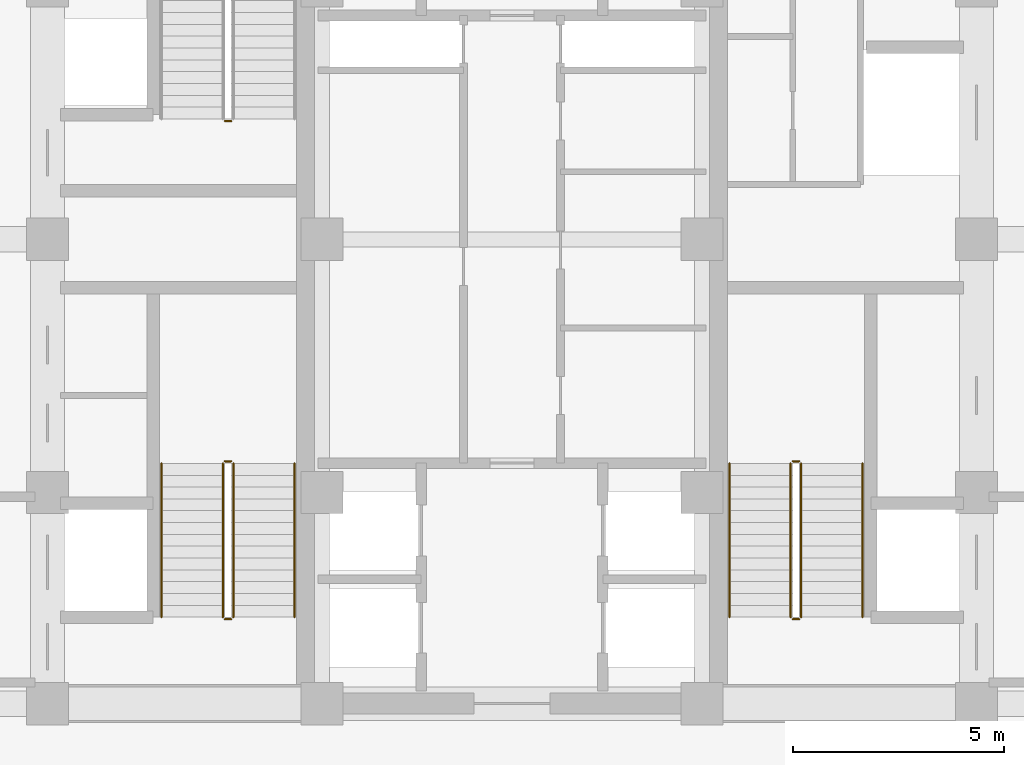
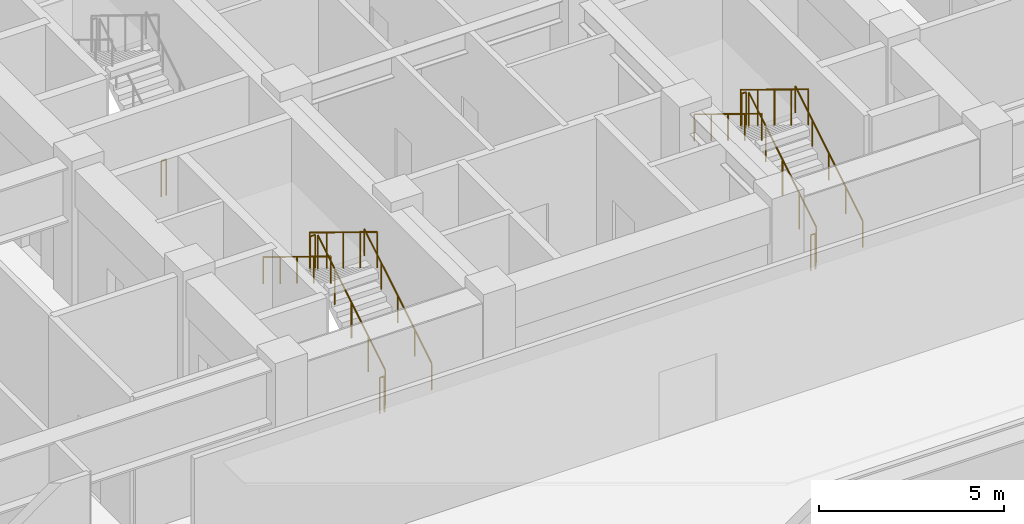
# One storey, part 34 of 38: 13 railings.
"""IFC4 building model written with IfcOpenShell, lengths in metres."""

from ifc_helpers import new_model, si_unit, direction, frame, origin, origin_2d, place, context, subcontext, project, spatial, circle, extrude, source, transform, mapped, material, type_object, element, save


model = new_model("IFC4")

# Units and contexts
model_context = context("Model", 3, precision=1e-05, world=origin(), true_north=direction((0.0, 1.0)))
body_context = subcontext(model_context, "Body", "Model", "MODEL_VIEW")
ifc_project = project(units=[si_unit("LENGTHUNIT", "METRE"), si_unit("AREAUNIT", "SQUARE_METRE"), si_unit("VOLUMEUNIT", "CUBIC_METRE"), si_unit("PLANEANGLEUNIT", "RADIAN"), si_unit("MASSUNIT", "GRAM", prefix="KILO")], contexts=[model_context])

# Site, building, storey
site_placement = place(None, origin())
site = spatial("IfcSite", under=ifc_project, at=site_placement, CompositionType="ELEMENT")
building_placement = place(site_placement, origin())
building = spatial("IfcBuilding", under=site, at=building_placement, Name="Khorayat Bourse Tower", CompositionType="ELEMENT")
storey_placement = place(building_placement, frame((0.0, 0.0, 17.39990234375)))
storey = spatial("IfcBuildingStorey", under=building, at=storey_placement, Name="L03", CompositionType="ELEMENT", Elevation=17.39990234375)

# Railings
ifc_material_1 = material(Name="Powder-coated steel balustrade", Category="steel")
railing_type_1 = type_object("IfcRailingType", Name="RLG-GUARD-1200", PredefinedType="GUARDRAIL", material=ifc_material_1)
shared_shape_1 = source(origin(), body_context, "Body", "SweptSolid", [
    extrude(circle(Radius=0.02392578125, at=origin_2d()), frame((0.0, 0.0, 1.17578125), z_axis=(0.0, 0.852850264322, 0.5221555579), x_axis=(-1.0, 0.0, 0.0)), (0.0, 0.0, 1.0), 4.267822265625),
    extrude(circle(Radius=0.02099609375, at=origin_2d()), origin(), (0.0, 0.0, 1.0), 1.15185546875),
    extrude(circle(Radius=0.02099609375, at=origin_2d()), frame((0.0, 0.909912109375, 0.55712890625)), (0.0, 0.0, 1.0), 1.15185546875),
    extrude(circle(Radius=0.02099609375, at=origin_2d()), frame((0.0, 1.81982421875, 1.1142578125)), (0.0, 0.0, 1.0), 1.15185546875),
    extrude(circle(Radius=0.02099609375, at=origin_2d()), frame((0.0, 2.72998046875, 1.67138671875)), (0.0, 0.0, 1.0), 1.15185546875),
    extrude(circle(Radius=0.02099609375, at=origin_2d()), frame((0.0, 3.639892578125, 2.228515625)), (0.0, 0.0, 1.0), 1.15185546875),
])
for number, where, name in (
    (1, (-6.60009765625, -8.949951171875, 0.171630859375), "L03 ST-1 stair guard 1"),
    (2, (6.85009765625, -8.949951171875, 0.171630859375), "L03 ST-3 stair guard 1"),
):
    element("IfcRailing", number, at=place(storey_placement, frame(where)), inside=storey, type_object=railing_type_1, Name=name, PredefinedType="GUARDRAIL", context=body_context, shape_type="MappedRepresentation", body=[
        mapped(shared_shape_1, transform((0.0, 0.0, 0.0), scale=1.0)),
    ])
shared_shape_2 = source(origin(), body_context, "Body", "SweptSolid", [
    extrude(circle(Radius=0.02392578125, at=origin_2d()), frame((0.0, 0.0, 1.17578125), z_axis=(-1.0, 0.0, 0.0), x_axis=(0.0, -1.0, 0.0)), (0.0, 0.0, 1.0), 0.150146484375),
    extrude(circle(Radius=0.02099609375, at=origin_2d()), origin(), (0.0, 0.0, 1.0), 1.15185546875),
    extrude(circle(Radius=0.02099609375, at=origin_2d()), frame((-0.150146484375, 0.0, 0.0)), (0.0, 0.0, 1.0), 1.15185546875),
])
for number, where, name in (
    (3, (-6.64990234375, -5.260009765625, 2.400146484375), "L03 ST-1 stair guard 2"),
    (4, (-6.64990234375, -9.0, 0.0), "L03 ST-1 stair guard 4"),
    (5, (-6.64990234375, 2.800048828125, 0.0), "L03 ST-2 stair guard 4"),
    (6, (6.800048828125, -5.260009765625, 2.400146484375), "L03 ST-3 stair guard 2"),
    (7, (6.800048828125, -9.0, 0.0), "L03 ST-3 stair guard 4"),
):
    element("IfcRailing", number, at=place(storey_placement, frame(where)), inside=storey, type_object=railing_type_1, Name=name, PredefinedType="GUARDRAIL", context=body_context, shape_type="MappedRepresentation", body=[
        mapped(shared_shape_2, transform((0.0, 0.0, 0.0), scale=1.0)),
    ])
shared_shape_3 = source(origin(), body_context, "Body", "SweptSolid", [
    extrude(circle(Radius=0.02392578125, at=origin_2d()), frame((0.0, 0.0, 1.17578125), z_axis=(0.0, -0.852850264322, 0.5221555579), x_axis=(1.0, 0.0, 0.0)), (0.0, 0.0, 1.0), 4.267822265625),
    extrude(circle(Radius=0.02099609375, at=origin_2d()), origin(), (0.0, 0.0, 1.0), 1.15185546875),
    extrude(circle(Radius=0.02099609375, at=origin_2d()), frame((0.0, -0.909912109375, 0.55712890625)), (0.0, 0.0, 1.0), 1.15185546875),
    extrude(circle(Radius=0.02099609375, at=origin_2d()), frame((0.0, -1.81982421875, 1.1142578125)), (0.0, 0.0, 1.0), 1.15185546875),
    extrude(circle(Radius=0.02099609375, at=origin_2d()), frame((0.0, -2.72998046875, 1.67138671875)), (0.0, 0.0, 1.0), 1.15185546875),
    extrude(circle(Radius=0.02099609375, at=origin_2d()), frame((0.0, -3.639892578125, 2.228515625)), (0.0, 0.0, 1.0), 1.15185546875),
])
for number, where, name in (
    (8, (-6.85009765625, -5.31005859375, 2.571533203125), "L03 ST-1 stair guard 3"),
    (9, (6.60009765625, -5.31005859375, 2.571533203125), "L03 ST-3 stair guard 3"),
):
    element("IfcRailing", number, at=place(storey_placement, frame(where)), inside=storey, type_object=railing_type_1, Name=name, PredefinedType="GUARDRAIL", context=body_context, shape_type="MappedRepresentation", body=[
        mapped(shared_shape_3, transform((0.0, 0.0, 0.0), scale=1.0)),
    ])
ifc_material_2 = material(Name="Brushed bronze stainless-steel handrail", Category="steel")
railing_type_2 = type_object("IfcRailingType", Name="RLG-HAND-900", PredefinedType="HANDRAIL", material=ifc_material_2)
shared_shape_4 = source(origin(), body_context, "Body", "SweptSolid", [
    extrude(circle(Radius=0.02392578125, at=origin_2d()), frame((0.0, 0.0, 0.8759765625), z_axis=(0.0, 0.852850264322, 0.5221555579), x_axis=(-1.0, 0.0, 0.0)), (0.0, 0.0, 1.0), 4.267822265625),
    extrude(circle(Radius=0.02099609375, at=origin_2d()), origin(), (0.0, 0.0, 1.0), 0.851806640625),
    extrude(circle(Radius=0.02099609375, at=origin_2d()), frame((0.0, 0.909912109375, 0.55712890625)), (0.0, 0.0, 1.0), 0.851806640625),
    extrude(circle(Radius=0.02099609375, at=origin_2d()), frame((0.0, 1.81982421875, 1.1142578125)), (0.0, 0.0, 1.0), 0.851806640625),
    extrude(circle(Radius=0.02099609375, at=origin_2d()), frame((0.0, 2.72998046875, 1.67138671875)), (0.0, 0.0, 1.0), 0.851806640625),
    extrude(circle(Radius=0.02099609375, at=origin_2d()), frame((0.0, 3.639892578125, 2.228515625)), (0.0, 0.0, 1.0), 0.851806640625),
])
for number, where, name in (
    (10, (-5.14990234375, -8.949951171875, 0.171630859375), "L03 ST-1 stair handrail 1"),
    (11, (8.300048828125, -8.949951171875, 0.171630859375), "L03 ST-3 stair handrail 1"),
):
    element("IfcRailing", number, at=place(storey_placement, frame(where)), inside=storey, type_object=railing_type_2, Name=name, PredefinedType="HANDRAIL", context=body_context, shape_type="MappedRepresentation", body=[
        mapped(shared_shape_4, transform((0.0, 0.0, 0.0), scale=1.0)),
    ])
shared_shape_5 = source(origin(), body_context, "Body", "SweptSolid", [
    extrude(circle(Radius=0.02392578125, at=origin_2d()), frame((0.0, 0.0, 0.8759765625), z_axis=(0.0, -0.852850264322, 0.5221555579), x_axis=(1.0, 0.0, 0.0)), (0.0, 0.0, 1.0), 4.267822265625),
    extrude(circle(Radius=0.02099609375, at=origin_2d()), origin(), (0.0, 0.0, 1.0), 0.851806640625),
    extrude(circle(Radius=0.02099609375, at=origin_2d()), frame((0.0, -0.909912109375, 0.55712890625)), (0.0, 0.0, 1.0), 0.851806640625),
    extrude(circle(Radius=0.02099609375, at=origin_2d()), frame((0.0, -1.81982421875, 1.1142578125)), (0.0, 0.0, 1.0), 0.851806640625),
    extrude(circle(Radius=0.02099609375, at=origin_2d()), frame((0.0, -2.72998046875, 1.67138671875)), (0.0, 0.0, 1.0), 0.851806640625),
    extrude(circle(Radius=0.02099609375, at=origin_2d()), frame((0.0, -3.639892578125, 2.228515625)), (0.0, 0.0, 1.0), 0.851806640625),
])
for number, where, name in (
    (12, (-8.300048828125, -5.31005859375, 2.571533203125), "L03 ST-1 stair handrail 2"),
    (13, (5.14990234375, -5.31005859375, 2.571533203125), "L03 ST-3 stair handrail 2"),
):
    element("IfcRailing", number, at=place(storey_placement, frame(where)), inside=storey, type_object=railing_type_2, Name=name, PredefinedType="HANDRAIL", context=body_context, shape_type="MappedRepresentation", body=[
        mapped(shared_shape_5, transform((0.0, 0.0, 0.0), scale=1.0)),
    ])

save(model, "model.ifc")
